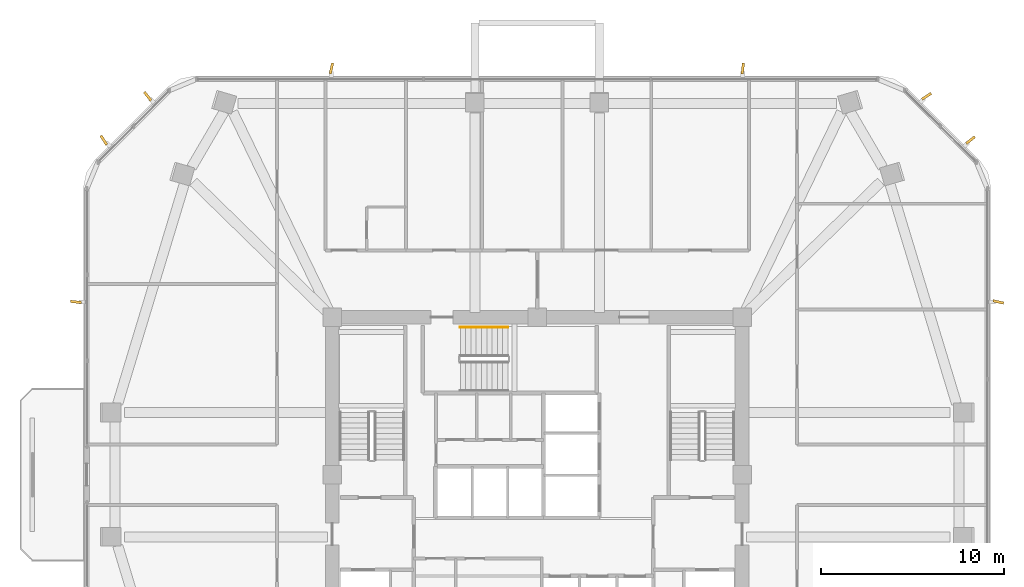
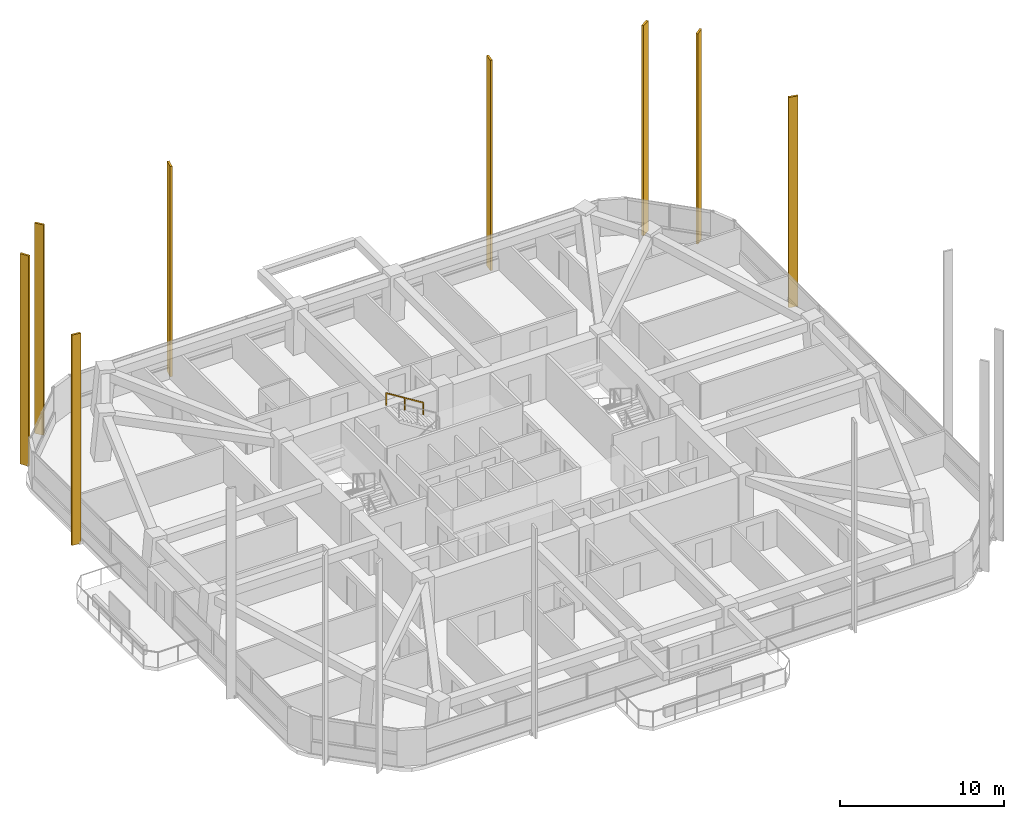
# One storey, part 15 of 15: 8 shading devices, 1 railing.
"""IFC4 building model written with IfcOpenShell, lengths in metres."""

import ifcopenshell
import ifcopenshell.guid

model = None  # the IFC model being written
_history = None  # IfcOwnerHistory: only IFC2X3 demands one
_inside = {}  # id of a spatial element -> (the spatial element, [elements in it])
_under = {}  # id of a project, library or spatial element -> (it, [spatial elements below it])
_declared = {}  # id of a project -> (the project, [libraries it declares])
_typed = {}  # id of a type object -> (the type object, [elements of that type])
_made_of = {}  # id of a material, layer set ... -> (it, [elements and type objects made of it])


def new_model(schema):
    """Start an empty IFC model of exactly this schema.

    Asked for "IFC4X3", IfcOpenShell would pick the latest addendum, in which some entities
    have other attributes; the version numbers below select the first issue.
    IFC2X3 requires an IfcOwnerHistory on every rooted entity: one is made here for all.
    """
    global model, _history
    if schema == "IFC4X3":
        model = ifcopenshell.file(schema_version=(4, 3, 0, 0))
    else:
        model = ifcopenshell.file(schema=schema)
    _inside.clear()
    _under.clear()
    _declared.clear()
    _typed.clear()
    _made_of.clear()
    _history = None
    if model.schema == "IFC2X3":
        org = make("IfcOrganization", Name="unknown")
        user = make(
            "IfcPersonAndOrganization",
            ThePerson=make("IfcPerson", FamilyName="unknown"),
            TheOrganization=org,
        )
        app = make(
            "IfcApplication",
            ApplicationDeveloper=org,
            Version="unknown",
            ApplicationFullName="unknown",
            ApplicationIdentifier="unknown",
        )
        _history = make(
            "IfcOwnerHistory",
            OwningUser=user,
            OwningApplication=app,
            ChangeAction="ADDED",
            CreationDate=0,
        )
    return model


def make(cls, **values):
    """One entity of the class cls with the attributes given. An attribute that is None is left unset."""
    return model.create_entity(
        cls, **{name: value for name, value in values.items() if value is not None}
    )


def rooted(cls, **values):
    """An entity with a GlobalId (a new one), such as an element, a storey or a relation."""
    return make(cls, GlobalId=ifcopenshell.guid.new(), OwnerHistory=_history, **values)


def si_unit(unit_type, name, prefix=None):
    """IfcSIUnit, for example si_unit("LENGTHUNIT", "METRE", prefix="MILLI")."""
    return make("IfcSIUnit", UnitType=unit_type, Prefix=prefix, Name=name)


def derived_unit(unit_type, elements):
    """IfcDerivedUnit: a product of units, each with its exponent."""
    return make(
        "IfcDerivedUnit",
        Elements=[
            make("IfcDerivedUnitElement", Unit=unit, Exponent=power)
            for unit, power in elements
        ],
        UnitType=unit_type,
    )


def assignment(units):
    """IfcUnitAssignment: the units of a project."""
    return None if units is None else make("IfcUnitAssignment", Units=units)


def point(xyz):
    """IfcCartesianPoint."""
    return None if xyz is None else make("IfcCartesianPoint", Coordinates=xyz)


def direction(xyz):
    """IfcDirection."""
    return None if xyz is None else make("IfcDirection", DirectionRatios=xyz)


def frame(location, z_axis=None, x_axis=None):
    """IfcAxis2Placement3D, a coordinate frame: its origin and axes. An axis left out is left unset."""
    return make(
        "IfcAxis2Placement3D",
        Location=point(location),
        Axis=direction(z_axis),
        RefDirection=direction(x_axis),
    )


def frame_2d(location, x_axis=None):
    """IfcAxis2Placement2D, a coordinate frame in the plane: its origin and x axis."""
    return make(
        "IfcAxis2Placement2D", Location=point(location), RefDirection=direction(x_axis)
    )


def origin():
    """The frame at (0, 0, 0) with its axes left unset."""
    return frame((0.0, 0.0, 0.0))


def origin_2d():
    """The frame at (0, 0) in the plane with its x axis left unset."""
    return frame_2d((0.0, 0.0))


def place(relative_to, where):
    """IfcLocalPlacement: puts the frame where relative to a parent placement (None: the world)."""
    return make(
        "IfcLocalPlacement", PlacementRelTo=relative_to, RelativePlacement=where
    )


def context(
    kind, dimensions, precision=None, world=None, true_north=None, identifier=None
):
    """IfcGeometricRepresentationContext, for example the 3D "Model" context."""
    return make(
        "IfcGeometricRepresentationContext",
        ContextIdentifier=identifier,
        ContextType=kind,
        CoordinateSpaceDimension=dimensions,
        Precision=precision,
        WorldCoordinateSystem=world,
        TrueNorth=true_north,
    )


def subcontext(parent, identifier, kind, view, scale=None):
    """IfcGeometricRepresentationSubContext, for example "Body" below "Model"."""
    return make(
        "IfcGeometricRepresentationSubContext",
        ContextIdentifier=identifier,
        ContextType=kind,
        ParentContext=parent,
        TargetScale=scale,
        TargetView=view,
    )


def project(units=None, contexts=None):
    """IfcProject with its units and contexts."""
    return rooted(
        "IfcProject",
        Name="project",
        RepresentationContexts=contexts,
        UnitsInContext=assignment(units),
    )


def spatial(cls, under=None, at=None, **own):
    """A site, building, storey or space (cls), placed at a placement, below another one or the project."""
    s = rooted(cls, ObjectPlacement=at, **own)
    if under is not None:
        _under.setdefault(under.id(), (under, []))[1].append(s)
    return s


def profile(cls, at=None, kind="AREA", **sizes):
    """A parametric profile (cls). Its sizes go by their IFC names, for example OverallWidth=200.0."""
    return make(cls, ProfileType=kind, Position=at, **sizes)


def rectangle(**sizes):
    """IfcRectangleProfileDef."""
    return profile("IfcRectangleProfileDef", **sizes)


def extrude(swept, where, along, depth):
    """IfcExtrudedAreaSolid: the profile swept, set in the frame where, extruded along a direction by depth."""
    return make(
        "IfcExtrudedAreaSolid",
        SweptArea=swept,
        Position=where,
        ExtrudedDirection=direction(along),
        Depth=depth,
    )


def shape(context_of_items, identifier, shape_type, items):
    """IfcShapeRepresentation: the items that make up one representation, for example the "Body"."""
    return make(
        "IfcShapeRepresentation",
        ContextOfItems=context_of_items,
        RepresentationIdentifier=identifier,
        RepresentationType=shape_type,
        Items=items,
    )


def material(Name=None, Category=None):
    """IfcMaterial."""
    return make("IfcMaterial", Name=Name, Category=Category)


def made_of(thing, what):
    """Note that an element or type object is made of a material, layer set ...; save() writes the relation."""
    if what is not None:
        _made_of.setdefault(what.id(), (what, []))[1].append(thing)
    return thing


def type_object(cls, material=None, **own):
    """A type object (cls), such as IfcWallType, which elements share."""
    return made_of(rooted(cls, **own), material)


def element(
    cls,
    number,
    at=None,
    inside=None,
    cuts=None,
    type_object=None,
    material=None,
    context=None,
    identifier="Body",
    shape_type=None,
    held_by="IfcProductDefinitionShape",
    body=None,
    shapes=None,
    **own,
):
    """One element of the class cls, such as IfcWall. Its Tag is "e" and its number.

    at: its placement. inside: the storey or other place that contains it. cuts: it is an
    opening in that element (IfcRelVoidsElement). A single representation is given by context,
    identifier, shape_type and body (its items); several are given by shapes. held_by: the class
    of the entity that holds the representations. save() writes the other relations.
    """
    e = rooted(cls, Tag="e%d" % number, ObjectPlacement=at, **own)
    if body is not None:
        shapes = [shape(context, identifier, shape_type, body)]
    if shapes is not None:
        e.Representation = make(held_by, Representations=shapes)
    if inside is not None:
        _inside.setdefault(inside.id(), (inside, []))[1].append(e)
    if cuts is not None:
        rooted(
            "IfcRelVoidsElement", RelatingBuildingElement=cuts, RelatedOpeningElement=e
        )
    if type_object is not None:
        _typed.setdefault(type_object.id(), (type_object, []))[1].append(e)
    return made_of(e, material)


def aggregate(whole, parts):
    """IfcRelAggregates: a whole, such as a stair, and the parts it consists of."""
    return rooted("IfcRelAggregates", RelatingObject=whole, RelatedObjects=parts)


def save(model, path):
    """Write the relations noted so far, then the file.

    IfcRelAggregates (storeys below a building ...), IfcRelContainedInSpatialStructure (elements
    in a storey), IfcRelDefinesByType, IfcRelAssociatesMaterial and IfcRelDeclares: one each for
    every whole, place, type object, material and project.
    """
    for whole, parts in _under.values():
        aggregate(whole, parts)
    for where, things in _inside.values():
        rooted(
            "IfcRelContainedInSpatialStructure",
            RelatedElements=things,
            RelatingStructure=where,
        )
    for kind, things in _typed.values():
        rooted("IfcRelDefinesByType", RelatedObjects=things, RelatingType=kind)
    for what, things in _made_of.values():
        rooted("IfcRelAssociatesMaterial", RelatedObjects=things, RelatingMaterial=what)
    for by, libraries in _declared.values():
        rooted("IfcRelDeclares", RelatingContext=by, RelatedDefinitions=libraries)
    model.write(path)


model = new_model("IFC4")

# Units and contexts
model_context = context("Model", 3, precision=1e-05, world=origin(), true_north=direction((0.0, 1.0)))
body_context = subcontext(model_context, "Body", "Model", "MODEL_VIEW")
ifc_project = project(units=[si_unit("LENGTHUNIT", "METRE"), si_unit("AREAUNIT", "SQUARE_METRE"), si_unit("VOLUMEUNIT", "CUBIC_METRE"), si_unit("PLANEANGLEUNIT", "RADIAN"), si_unit("MASSUNIT", "GRAM", prefix="KILO"), derived_unit("THERMALTRANSMITTANCEUNIT", [(si_unit("POWERUNIT", "WATT"), 1), (si_unit("LENGTHUNIT", "METRE"), -2), (si_unit("THERMODYNAMICTEMPERATUREUNIT", "KELVIN"), -1)])], contexts=[model_context])

# Site, building, storey
site_placement = place(None, origin())
site = spatial("IfcSite", under=ifc_project, at=site_placement, CompositionType="ELEMENT")
building_placement = place(site_placement, origin())
building = spatial("IfcBuilding", under=site, at=building_placement, Name="Koralith Skygarden Medical Center", CompositionType="ELEMENT")
storey_placement = place(building_placement, frame((0.0, 0.0, 113.580078125)))
storey = spatial("IfcBuildingStorey", under=building, at=storey_placement, Name="L29", CompositionType="ELEMENT", Elevation=113.580078125)

# Shading devices
ifc_material_1 = material(Name="Aluminium 6063-T6", Category="aluminium")
shading_device_type = type_object("IfcShadingDeviceType", Name="Limestone-Clad Solar Storm Fin 600", PredefinedType="USERDEFINED", material=ifc_material_1)
for number, where, z_axis, x_axis, name in (
    (1, (62.2041015625, 35.337890625, -0.199951171875), (0.0, 0.0, 1.0), (0.976492039375, -0.215553466771, 0.0), "L29 E Harmonic Solar Storm Fin 2"),
    (2, (60.679931640625, 44.178955078125, -0.199951171875), (0.0, 0.0, 1.0), (0.781716431405, 0.623634044029, 0.0), "L29 NE Harmonic Solar Storm Fin 1"),
    (3, (58.281982421875, 46.576904296875, -0.199951171875), (0.0, 0.0, 1.0), (0.842903460879, 0.538064824755, 0.0), "L29 NE Harmonic Solar Storm Fin 2"),
    (4, (48.239990234375, 48.10009765625, -0.199951171875), (0.0, 0.0, 1.0), (0.1117811281, 0.993732851123, 0.0), "L29 N Harmonic Solar Storm Fin 1"),
    (5, (25.760009765625, 48.10009765625, -0.199951171875), (0.0, 0.0, 1.0), (0.215553466771, 0.976492039375, 0.0), "L29 N Harmonic Solar Storm Fin 2"),
    (6, (15.718017578125, 46.575927734375, -0.199951171875), (0.0, 0.0, 1.0), (-0.623634044029, 0.781716431405, 0.0), "L29 NW Harmonic Solar Storm Fin 1"),
    (7, (13.320068359375, 44.177978515625, -0.199951171875), (0.0, 0.0, 1.0), (-0.538064824755, 0.842903460879, 0.0), "L29 NW Harmonic Solar Storm Fin 2"),
    (8, (11.7958984375, 35.337890625, -0.199951171875), (0.0, 0.0, 1.0), (-0.993732851123, 0.1117811281, 0.0), "L29 W Harmonic Solar Storm Fin 1"),
):
    element("IfcShadingDevice", number, at=place(storey_placement, frame(where, z_axis=z_axis, x_axis=x_axis)), inside=storey, type_object=shading_device_type, Name=name, ObjectType="SOLAR FIN", PredefinedType="USERDEFINED", context=body_context, shape_type="SweptSolid", body=[
        extrude(rectangle(XDim=0.60009765625, YDim=0.139892578125, at=origin_2d()), origin(), (0.0, 0.0, 1.0), 15.6298828125),
    ])

# Railing
ifc_material_2 = material(Name="Steel ASTM A500 Grade C", Category="steel")
railing_type = type_object("IfcRailingType", Name="Stair Flight Tubular Handrail 920", PredefinedType="HANDRAIL", material=ifc_material_2)
railing_placement = place(storey_placement, frame((35.409912109375, 33.949951171875, 1.97998046875)))
element("IfcRailing", 9, at=railing_placement, inside=storey, type_object=railing_type, Name="L29 ST3 stair handrail 2", PredefinedType="HANDRAIL", context=body_context, shape_type="SweptSolid", body=[
    extrude(rectangle(XDim=0.050048828125, YDim=0.050048828125, at=origin_2d()), frame((-0.001708984375, 0.0, 0.89599609375), z_axis=(-0.849646306263, 0.0, 0.527352969322), x_axis=(0.0, -1.0, 0.0)), (0.0, 0.0, 1.0), 3.067626953125),
    extrude(rectangle(XDim=0.0419921875, YDim=0.0419921875, at=origin_2d()), origin(), (0.0, 0.0, 1.0), 0.867919921875),
    extrude(rectangle(XDim=0.0419921875, YDim=0.0419921875, at=origin_2d()), frame((-1.304931640625, 0.0, 0.81005859375)), (0.0, 0.0, 1.0), 0.867919921875),
    extrude(rectangle(XDim=0.0419921875, YDim=0.0419921875, at=origin_2d()), frame((-2.60986328125, 0.0, 1.619873046875)), (0.0, 0.0, 1.0), 0.867919921875),
])

save(model, "model.ifc")
